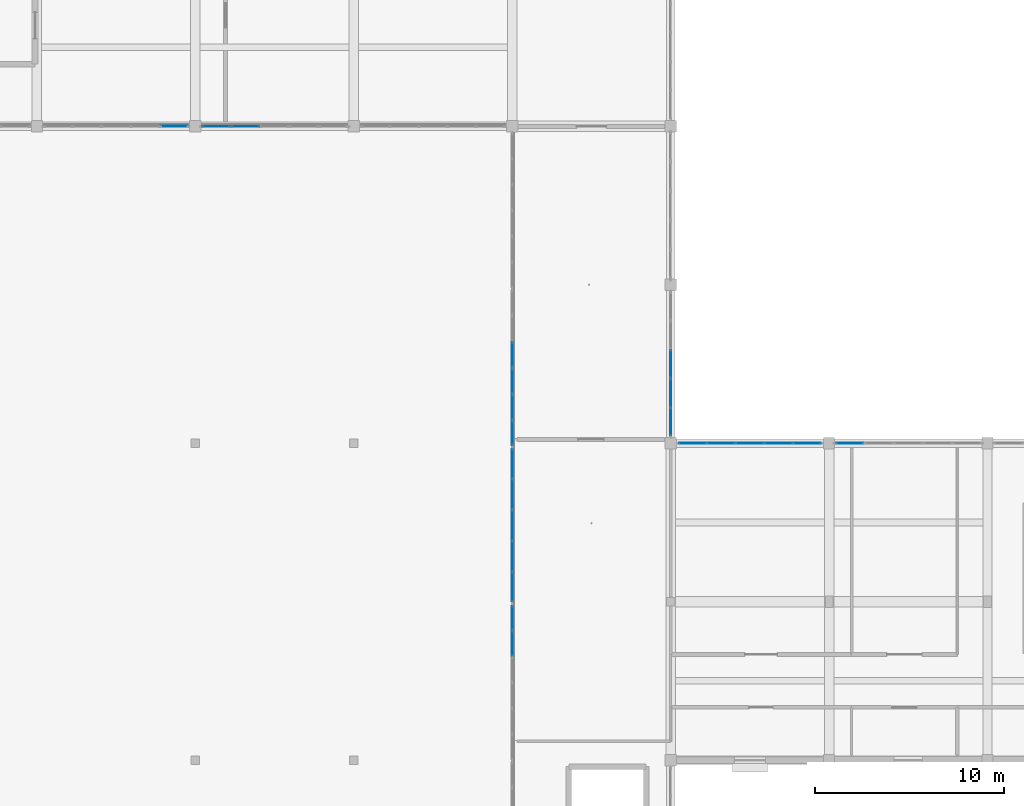
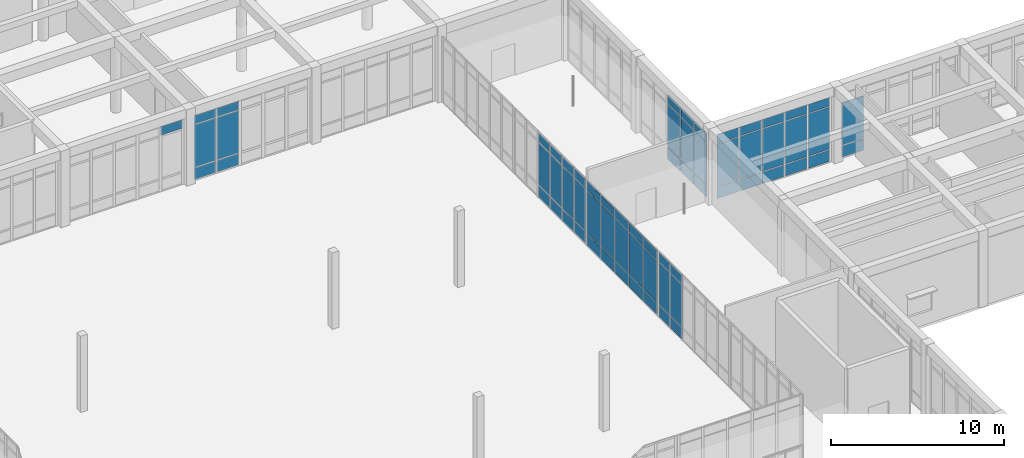
# One storey, part 63 of 157: 66 plates, 8 elements without a shape of their own.
"""IFC4 building model written with IfcOpenShell, lengths in metres."""

from ifc_helpers import new_model, si_unit, direction, frame, origin, origin_2d, place, context, subcontext, project, spatial, rectangle, extrude, material, layer, layer_set, type_object, element, aggregate, save


model = new_model("IFC4")

# Units and contexts
model_context = context("Model", 3, precision=1e-05, world=origin(), true_north=direction((0.0, 1.0)))
body_context = subcontext(model_context, "Body", "Model", "MODEL_VIEW")
ifc_project = project(units=[si_unit("LENGTHUNIT", "METRE"), si_unit("AREAUNIT", "SQUARE_METRE"), si_unit("VOLUMEUNIT", "CUBIC_METRE"), si_unit("PLANEANGLEUNIT", "RADIAN"), si_unit("MASSUNIT", "GRAM", prefix="KILO")], contexts=[model_context])

# Site, building, storey
site_placement = place(None, origin())
site = spatial("IfcSite", under=ifc_project, at=site_placement, CompositionType="ELEMENT")
building_placement = place(site_placement, origin())
building = spatial("IfcBuilding", under=site, at=building_placement, Name="Varncliffe General Hospital", CompositionType="ELEMENT")
storey_placement = place(building_placement, frame((0.0, 0.0, 5.39990234375)))
storey = spatial("IfcBuildingStorey", under=building, at=storey_placement, Name="L01", CompositionType="ELEMENT", Elevation=5.39990234375)

# Curtain wall, plates
ifc_material_1 = material(Name="Triple low-E argon insulated vision glazing", Category="glass")
curtain_wall_type_1 = type_object("IfcCurtainWallType", Name="Unitised Glazed Curtain Wall CW70 (7724x4640)", PredefinedType="USERDEFINED", material=ifc_material_1)
curtain_wall_1_placement = place(storey_placement, origin())
curtain_wall_1 = element("IfcCurtainWall", 1, at=curtain_wall_1_placement, inside=storey, type_object=curtain_wall_type_1, Name="L01 Glazed Curtain Wall CW70-58", ObjectType="GLAZED CURTAIN WALL", PredefinedType="USERDEFINED")
ifc_layer_1 = layer(ifc_material_1, 0.0439453125)
ifc_layer_set_1 = layer_set([ifc_layer_1], Name="Triple low-E argon insulated vision glazing")
plate_type_1 = type_object("IfcPlateType", Name="Curtain Wall Glazing Panel CP12 (44mm)", PredefinedType="CURTAIN_PANEL", material=ifc_layer_set_1)
plate_1_placement = place(storey_placement, frame((117.60009765625, 45.0, 0.06005859375), z_axis=(0.0, 0.0, 1.0), x_axis=(0.0, -1.0, 0.0)))
plate_1 = element("IfcPlate", 2, at=plate_1_placement, type_object=plate_type_1, Name="CW70 panel 3.1", PredefinedType="CURTAIN_PANEL", context=body_context, shape_type="SweptSolid", body=[
    extrude(rectangle(XDim=1.4697265625, YDim=0.0439453125, at=origin_2d()), origin(), (0.0, 0.0, 1.0), 0.81005859375),
])
plate_2_placement = place(storey_placement, frame((117.60009765625, 45.0, 0.93017578125), z_axis=(0.0, 0.0, 1.0), x_axis=(0.0, -1.0, 0.0)))
plate_2 = element("IfcPlate", 3, at=plate_2_placement, type_object=plate_type_1, Name="CW70 panel 3.2", PredefinedType="CURTAIN_PANEL", context=body_context, shape_type="SweptSolid", body=[
    extrude(rectangle(XDim=1.4697265625, YDim=0.0439453125, at=origin_2d()), origin(), (0.0, 0.0, 1.0), 2.97998046875),
])
plate_3_placement = place(storey_placement, frame((117.60009765625, 45.0, 3.97021484375), z_axis=(0.0, 0.0, 1.0), x_axis=(0.0, -1.0, 0.0)))
plate_3 = element("IfcPlate", 4, at=plate_3_placement, type_object=plate_type_1, Name="CW70 panel 3.3", PredefinedType="CURTAIN_PANEL", context=body_context, shape_type="SweptSolid", body=[
    extrude(rectangle(XDim=1.4697265625, YDim=0.0439453125, at=origin_2d()), origin(), (0.0, 0.0, 1.0), 0.610107421875),
])
plate_4_placement = place(storey_placement, frame((117.60009765625, 43.455078125, 0.06005859375), z_axis=(0.0, 0.0, 1.0), x_axis=(0.0, -1.0, 0.0)))
plate_4 = element("IfcPlate", 5, at=plate_4_placement, type_object=plate_type_1, Name="CW70 panel 4.1", PredefinedType="CURTAIN_PANEL", context=body_context, shape_type="SweptSolid", body=[
    extrude(rectangle(XDim=1.4697265625, YDim=0.0439453125, at=origin_2d()), origin(), (0.0, 0.0, 1.0), 0.81005859375),
])
plate_5_placement = place(storey_placement, frame((117.60009765625, 43.455078125, 0.93017578125), z_axis=(0.0, 0.0, 1.0), x_axis=(0.0, -1.0, 0.0)))
plate_5 = element("IfcPlate", 6, at=plate_5_placement, type_object=plate_type_1, Name="CW70 panel 4.2", PredefinedType="CURTAIN_PANEL", context=body_context, shape_type="SweptSolid", body=[
    extrude(rectangle(XDim=1.4697265625, YDim=0.0439453125, at=origin_2d()), origin(), (0.0, 0.0, 1.0), 2.97998046875),
])
plate_6_placement = place(storey_placement, frame((117.60009765625, 43.455078125, 3.97021484375), z_axis=(0.0, 0.0, 1.0), x_axis=(0.0, -1.0, 0.0)))
plate_6 = element("IfcPlate", 7, at=plate_6_placement, type_object=plate_type_1, Name="CW70 panel 4.3", PredefinedType="CURTAIN_PANEL", context=body_context, shape_type="SweptSolid", body=[
    extrude(rectangle(XDim=1.4697265625, YDim=0.0439453125, at=origin_2d()), origin(), (0.0, 0.0, 1.0), 0.610107421875),
])
plate_7_placement = place(storey_placement, frame((117.60009765625, 41.92919921875, 0.06005859375), z_axis=(0.0, 0.0, 1.0), x_axis=(0.0, -1.0, 0.0)))
plate_7 = element("IfcPlate", 8, at=plate_7_placement, type_object=plate_type_1, Name="CW70 panel 5.1", PredefinedType="CURTAIN_PANEL", context=body_context, shape_type="SweptSolid", body=[
    extrude(rectangle(XDim=1.432373046875, YDim=0.0439453125, at=origin_2d()), origin(), (0.0, 0.0, 1.0), 0.81005859375),
])
plate_8_placement = place(storey_placement, frame((117.60009765625, 41.92919921875, 0.93017578125), z_axis=(0.0, 0.0, 1.0), x_axis=(0.0, -1.0, 0.0)))
plate_8 = element("IfcPlate", 9, at=plate_8_placement, type_object=plate_type_1, Name="CW70 panel 5.2", PredefinedType="CURTAIN_PANEL", context=body_context, shape_type="SweptSolid", body=[
    extrude(rectangle(XDim=1.432373046875, YDim=0.0439453125, at=origin_2d()), origin(), (0.0, 0.0, 1.0), 2.97998046875),
])
plate_9_placement = place(storey_placement, frame((117.60009765625, 41.92919921875, 3.97021484375), z_axis=(0.0, 0.0, 1.0), x_axis=(0.0, -1.0, 0.0)))
plate_9 = element("IfcPlate", 10, at=plate_9_placement, type_object=plate_type_1, Name="CW70 panel 5.3", PredefinedType="CURTAIN_PANEL", context=body_context, shape_type="SweptSolid", body=[
    extrude(rectangle(XDim=1.432373046875, YDim=0.0439453125, at=origin_2d()), origin(), (0.0, 0.0, 1.0), 0.610107421875),
])
aggregate(curtain_wall_1, [plate_1, plate_2, plate_3, plate_4, plate_5, plate_6, plate_7, plate_8, plate_9])

curtain_wall_type_2 = type_object("IfcCurtainWallType", Name="Unitised Glazed Curtain Wall CW14 (8260x4640)", PredefinedType="USERDEFINED", material=ifc_material_1)
curtain_wall_2_placement = place(storey_placement, origin())
curtain_wall_2 = element("IfcCurtainWall", 11, at=curtain_wall_2_placement, inside=storey, type_object=curtain_wall_type_2, Name="L01 Glazed Curtain Wall CW14-97", ObjectType="GLAZED CURTAIN WALL", PredefinedType="USERDEFINED")
plate_10_placement = place(storey_placement, frame((109.199951171875, 30.17578125, 0.06005859375), z_axis=(0.0, 0.0, 1.0), x_axis=(0.0, 1.0, 0.0)))
plate_10 = element("IfcPlate", 12, at=plate_10_placement, type_object=plate_type_1, Name="CW14 panel 5.1", PredefinedType="CURTAIN_PANEL", context=body_context, shape_type="SweptSolid", body=[
    extrude(rectangle(XDim=1.3017578125, YDim=0.0439453125, at=origin_2d()), origin(), (0.0, 0.0, 1.0), 0.81005859375),
])
plate_11_placement = place(storey_placement, frame((109.199951171875, 30.17578125, 0.93017578125), z_axis=(0.0, 0.0, 1.0), x_axis=(0.0, 1.0, 0.0)))
plate_11 = element("IfcPlate", 13, at=plate_11_placement, type_object=plate_type_1, Name="CW14 panel 5.2", PredefinedType="CURTAIN_PANEL", context=body_context, shape_type="SweptSolid", body=[
    extrude(rectangle(XDim=1.3017578125, YDim=0.0439453125, at=origin_2d()), origin(), (0.0, 0.0, 1.0), 2.97998046875),
])
plate_12_placement = place(storey_placement, frame((109.199951171875, 30.17578125, 3.97021484375), z_axis=(0.0, 0.0, 1.0), x_axis=(0.0, 1.0, 0.0)))
plate_12 = element("IfcPlate", 14, at=plate_12_placement, type_object=plate_type_1, Name="CW14 panel 5.3", PredefinedType="CURTAIN_PANEL", context=body_context, shape_type="SweptSolid", body=[
    extrude(rectangle(XDim=1.3017578125, YDim=0.0439453125, at=origin_2d()), origin(), (0.0, 0.0, 1.0), 0.610107421875),
])
plate_13_placement = place(storey_placement, frame((109.199951171875, 31.53369140625, 0.06005859375), z_axis=(0.0, 0.0, 1.0), x_axis=(0.0, 1.0, 0.0)))
plate_13 = element("IfcPlate", 15, at=plate_13_placement, type_object=plate_type_1, Name="CW14 panel 6.1", PredefinedType="CURTAIN_PANEL", context=body_context, shape_type="SweptSolid", body=[
    extrude(rectangle(XDim=1.26416015625, YDim=0.0439453125, at=origin_2d()), origin(), (0.0, 0.0, 1.0), 0.81005859375),
])
plate_14_placement = place(storey_placement, frame((109.199951171875, 31.53369140625, 0.93017578125), z_axis=(0.0, 0.0, 1.0), x_axis=(0.0, 1.0, 0.0)))
plate_14 = element("IfcPlate", 16, at=plate_14_placement, type_object=plate_type_1, Name="CW14 panel 6.2", PredefinedType="CURTAIN_PANEL", context=body_context, shape_type="SweptSolid", body=[
    extrude(rectangle(XDim=1.26416015625, YDim=0.0439453125, at=origin_2d()), origin(), (0.0, 0.0, 1.0), 2.97998046875),
])
plate_15_placement = place(storey_placement, frame((109.199951171875, 31.53369140625, 3.97021484375), z_axis=(0.0, 0.0, 1.0), x_axis=(0.0, 1.0, 0.0)))
plate_15 = element("IfcPlate", 17, at=plate_15_placement, type_object=plate_type_1, Name="CW14 panel 6.3", PredefinedType="CURTAIN_PANEL", context=body_context, shape_type="SweptSolid", body=[
    extrude(rectangle(XDim=1.26416015625, YDim=0.0439453125, at=origin_2d()), origin(), (0.0, 0.0, 1.0), 0.610107421875),
])
aggregate(curtain_wall_2, [plate_10, plate_11, plate_12, plate_13, plate_14, plate_15])

# Curtain wall, plate
curtain_wall_3_placement = place(storey_placement, origin())
curtain_wall_3 = element("IfcCurtainWall", 18, at=curtain_wall_3_placement, inside=storey, type_object=curtain_wall_type_1, Name="L01 Glazed Curtain Wall CW70-103", ObjectType="GLAZED CURTAIN WALL", PredefinedType="USERDEFINED")
plate_16_placement = place(storey_placement, frame((91.270751953125, 57.60009765625, 3.97021484375), z_axis=(0.0, 0.0, 1.0), x_axis=(-1.0, 0.0, 0.0)))
plate_16 = element("IfcPlate", 19, at=plate_16_placement, type_object=plate_type_1, Name="CW70 panel 1.3", PredefinedType="CURTAIN_PANEL", context=body_context, shape_type="SweptSolid", body=[
    extrude(rectangle(XDim=1.432373046875, YDim=0.0439453125, at=origin_2d()), origin(), (0.0, 0.0, 1.0), 0.610107421875),
])
aggregate(curtain_wall_3, [plate_16])

# Curtain wall, plates
curtain_wall_type_3 = type_object("IfcCurtainWallType", Name="Unitised Glazed Curtain Wall CW85 (7804x4640)", PredefinedType="USERDEFINED", material=ifc_material_1)
curtain_wall_4_placement = place(storey_placement, origin())
curtain_wall_4 = element("IfcCurtainWall", 20, at=curtain_wall_4_placement, inside=storey, type_object=curtain_wall_type_3, Name="L01 Glazed Curtain Wall CW85-60", ObjectType="GLAZED CURTAIN WALL", PredefinedType="USERDEFINED")
ifc_layer_2 = layer(ifc_material_1, 0.035888671875)
ifc_layer_set_2 = layer_set([ifc_layer_2], Name="Triple low-E argon insulated vision glazing")
plate_type_2 = type_object("IfcPlateType", Name="Curtain Wall Glazing Panel CP27 (36mm)", PredefinedType="CURTAIN_PANEL", material=ifc_layer_set_2)
plate_17_placement = place(storey_placement, frame((127.09716796875, 40.800048828125, 0.06494140625), z_axis=(0.0, 0.0, 1.0), x_axis=(1.0, 0.0, 0.0)))
plate_17 = element("IfcPlate", 21, at=plate_17_placement, type_object=plate_type_2, Name="CW85 panel 1.1", PredefinedType="CURTAIN_PANEL", context=body_context, shape_type="SweptSolid", body=[
    extrude(rectangle(XDim=1.4482421875, YDim=0.035888671875, at=origin_2d()), origin(), (0.0, 0.0, 1.0), 0.802490234375),
])
plate_18_placement = place(storey_placement, frame((127.09716796875, 40.800048828125, 0.9326171875), z_axis=(0.0, 0.0, 1.0), x_axis=(1.0, 0.0, 0.0)))
plate_18 = element("IfcPlate", 22, at=plate_18_placement, type_object=plate_type_2, Name="CW85 panel 1.2", PredefinedType="CURTAIN_PANEL", context=body_context, shape_type="SweptSolid", body=[
    extrude(rectangle(XDim=1.4482421875, YDim=0.035888671875, at=origin_2d()), origin(), (0.0, 0.0, 1.0), 2.97509765625),
])
aggregate(curtain_wall_4, [plate_17, plate_18])

curtain_wall_type_4 = type_object("IfcCurtainWallType", Name="Unitised Glazed Curtain Wall CW86 (8340x4640)", PredefinedType="USERDEFINED", material=ifc_material_1)
curtain_wall_5_placement = place(storey_placement, origin())
curtain_wall_5 = element("IfcCurtainWall", 23, at=curtain_wall_5_placement, inside=storey, type_object=curtain_wall_type_4, Name="L01 Glazed Curtain Wall CW86-99", ObjectType="GLAZED CURTAIN WALL", PredefinedType="USERDEFINED")
plate_19_placement = place(storey_placement, frame((109.199951171875, 41.3349609375, 0.06494140625), z_axis=(0.0, 0.0, 1.0), x_axis=(0.0, 1.0, 0.0)))
plate_19 = element("IfcPlate", 24, at=plate_19_placement, type_object=plate_type_2, Name="CW86 panel 1.1", PredefinedType="CURTAIN_PANEL", context=body_context, shape_type="SweptSolid", body=[
    extrude(rectangle(XDim=1.277587890625, YDim=0.035888671875, at=origin_2d()), origin(), (0.0, 0.0, 1.0), 0.802490234375),
])
plate_20_placement = place(storey_placement, frame((109.199951171875, 41.3349609375, 0.9326171875), z_axis=(0.0, 0.0, 1.0), x_axis=(0.0, 1.0, 0.0)))
plate_20 = element("IfcPlate", 25, at=plate_20_placement, type_object=plate_type_2, Name="CW86 panel 1.2", PredefinedType="CURTAIN_PANEL", context=body_context, shape_type="SweptSolid", body=[
    extrude(rectangle(XDim=1.277587890625, YDim=0.035888671875, at=origin_2d()), origin(), (0.0, 0.0, 1.0), 2.97509765625),
])
plate_21_placement = place(storey_placement, frame((109.199951171875, 41.3349609375, 3.97265625), z_axis=(0.0, 0.0, 1.0), x_axis=(0.0, 1.0, 0.0)))
plate_21 = element("IfcPlate", 26, at=plate_21_placement, type_object=plate_type_2, Name="CW86 panel 1.3", PredefinedType="CURTAIN_PANEL", context=body_context, shape_type="SweptSolid", body=[
    extrude(rectangle(XDim=1.277587890625, YDim=0.035888671875, at=origin_2d()), origin(), (0.0, 0.0, 1.0), 0.6025390625),
])
plate_22_placement = place(storey_placement, frame((109.199951171875, 42.706298828125, 0.06494140625), z_axis=(0.0, 0.0, 1.0), x_axis=(0.0, 1.0, 0.0)))
plate_22 = element("IfcPlate", 27, at=plate_22_placement, type_object=plate_type_2, Name="CW86 panel 2.1", PredefinedType="CURTAIN_PANEL", context=body_context, shape_type="SweptSolid", body=[
    extrude(rectangle(XDim=1.315185546875, YDim=0.035888671875, at=origin_2d()), origin(), (0.0, 0.0, 1.0), 0.802490234375),
])
plate_23_placement = place(storey_placement, frame((109.199951171875, 42.706298828125, 0.9326171875), z_axis=(0.0, 0.0, 1.0), x_axis=(0.0, 1.0, 0.0)))
plate_23 = element("IfcPlate", 28, at=plate_23_placement, type_object=plate_type_2, Name="CW86 panel 2.2", PredefinedType="CURTAIN_PANEL", context=body_context, shape_type="SweptSolid", body=[
    extrude(rectangle(XDim=1.315185546875, YDim=0.035888671875, at=origin_2d()), origin(), (0.0, 0.0, 1.0), 2.97509765625),
])
plate_24_placement = place(storey_placement, frame((109.199951171875, 42.706298828125, 3.97265625), z_axis=(0.0, 0.0, 1.0), x_axis=(0.0, 1.0, 0.0)))
plate_24 = element("IfcPlate", 29, at=plate_24_placement, type_object=plate_type_2, Name="CW86 panel 2.3", PredefinedType="CURTAIN_PANEL", context=body_context, shape_type="SweptSolid", body=[
    extrude(rectangle(XDim=1.315185546875, YDim=0.035888671875, at=origin_2d()), origin(), (0.0, 0.0, 1.0), 0.6025390625),
])
plate_25_placement = place(storey_placement, frame((109.199951171875, 44.096435546875, 0.06494140625), z_axis=(0.0, 0.0, 1.0), x_axis=(0.0, 1.0, 0.0)))
plate_25 = element("IfcPlate", 30, at=plate_25_placement, type_object=plate_type_2, Name="CW86 panel 3.1", PredefinedType="CURTAIN_PANEL", context=body_context, shape_type="SweptSolid", body=[
    extrude(rectangle(XDim=1.315185546875, YDim=0.035888671875, at=origin_2d()), origin(), (0.0, 0.0, 1.0), 0.802490234375),
])
plate_26_placement = place(storey_placement, frame((109.199951171875, 44.096435546875, 0.9326171875), z_axis=(0.0, 0.0, 1.0), x_axis=(0.0, 1.0, 0.0)))
plate_26 = element("IfcPlate", 31, at=plate_26_placement, type_object=plate_type_2, Name="CW86 panel 3.2", PredefinedType="CURTAIN_PANEL", context=body_context, shape_type="SweptSolid", body=[
    extrude(rectangle(XDim=1.315185546875, YDim=0.035888671875, at=origin_2d()), origin(), (0.0, 0.0, 1.0), 2.97509765625),
])
plate_27_placement = place(storey_placement, frame((109.199951171875, 44.096435546875, 3.97265625), z_axis=(0.0, 0.0, 1.0), x_axis=(0.0, 1.0, 0.0)))
plate_27 = element("IfcPlate", 32, at=plate_27_placement, type_object=plate_type_2, Name="CW86 panel 3.3", PredefinedType="CURTAIN_PANEL", context=body_context, shape_type="SweptSolid", body=[
    extrude(rectangle(XDim=1.315185546875, YDim=0.035888671875, at=origin_2d()), origin(), (0.0, 0.0, 1.0), 0.6025390625),
])
plate_28_placement = place(storey_placement, frame((109.199951171875, 45.486328125, 0.06494140625), z_axis=(0.0, 0.0, 1.0), x_axis=(0.0, 1.0, 0.0)))
plate_28 = element("IfcPlate", 33, at=plate_28_placement, type_object=plate_type_2, Name="CW86 panel 4.1", PredefinedType="CURTAIN_PANEL", context=body_context, shape_type="SweptSolid", body=[
    extrude(rectangle(XDim=1.315185546875, YDim=0.035888671875, at=origin_2d()), origin(), (0.0, 0.0, 1.0), 0.802490234375),
])
plate_29_placement = place(storey_placement, frame((109.199951171875, 45.486328125, 0.9326171875), z_axis=(0.0, 0.0, 1.0), x_axis=(0.0, 1.0, 0.0)))
plate_29 = element("IfcPlate", 34, at=plate_29_placement, type_object=plate_type_2, Name="CW86 panel 4.2", PredefinedType="CURTAIN_PANEL", context=body_context, shape_type="SweptSolid", body=[
    extrude(rectangle(XDim=1.315185546875, YDim=0.035888671875, at=origin_2d()), origin(), (0.0, 0.0, 1.0), 2.97509765625),
])
plate_30_placement = place(storey_placement, frame((109.199951171875, 45.486328125, 3.97265625), z_axis=(0.0, 0.0, 1.0), x_axis=(0.0, 1.0, 0.0)))
plate_30 = element("IfcPlate", 35, at=plate_30_placement, type_object=plate_type_2, Name="CW86 panel 4.3", PredefinedType="CURTAIN_PANEL", context=body_context, shape_type="SweptSolid", body=[
    extrude(rectangle(XDim=1.315185546875, YDim=0.035888671875, at=origin_2d()), origin(), (0.0, 0.0, 1.0), 0.6025390625),
])
aggregate(curtain_wall_5, [plate_19, plate_20, plate_21, plate_22, plate_23, plate_24, plate_25, plate_26, plate_27, plate_28, plate_29, plate_30])

curtain_wall_6_placement = place(storey_placement, origin())
curtain_wall_6 = element("IfcCurtainWall", 36, at=curtain_wall_6_placement, inside=storey, type_object=curtain_wall_type_3, Name="L01 Glazed Curtain Wall CW85-102", ObjectType="GLAZED CURTAIN WALL", PredefinedType="USERDEFINED")
plate_31_placement = place(storey_placement, frame((95.039306640625, 57.60009765625, 0.06494140625), z_axis=(0.0, 0.0, 1.0), x_axis=(-1.0, 0.0, 0.0)))
plate_31 = element("IfcPlate", 37, at=plate_31_placement, type_object=plate_type_2, Name="CW85 panel 4.1", PredefinedType="CURTAIN_PANEL", context=body_context, shape_type="SweptSolid", body=[
    extrude(rectangle(XDim=1.48583984375, YDim=0.035888671875, at=origin_2d()), origin(), (0.0, 0.0, 1.0), 0.802490234375),
])
plate_32_placement = place(storey_placement, frame((95.039306640625, 57.60009765625, 0.9326171875), z_axis=(0.0, 0.0, 1.0), x_axis=(-1.0, 0.0, 0.0)))
plate_32 = element("IfcPlate", 38, at=plate_32_placement, type_object=plate_type_2, Name="CW85 panel 4.2", PredefinedType="CURTAIN_PANEL", context=body_context, shape_type="SweptSolid", body=[
    extrude(rectangle(XDim=1.48583984375, YDim=0.035888671875, at=origin_2d()), origin(), (0.0, 0.0, 1.0), 2.97509765625),
])
plate_33_placement = place(storey_placement, frame((95.039306640625, 57.60009765625, 3.97265625), z_axis=(0.0, 0.0, 1.0), x_axis=(-1.0, 0.0, 0.0)))
plate_33 = element("IfcPlate", 39, at=plate_33_placement, type_object=plate_type_2, Name="CW85 panel 4.3", PredefinedType="CURTAIN_PANEL", context=body_context, shape_type="SweptSolid", body=[
    extrude(rectangle(XDim=1.48583984375, YDim=0.035888671875, at=origin_2d()), origin(), (0.0, 0.0, 1.0), 0.6025390625),
])
plate_34_placement = place(storey_placement, frame((93.4970703125, 57.60009765625, 0.06494140625), z_axis=(0.0, 0.0, 1.0), x_axis=(-1.0, 0.0, 0.0)))
plate_34 = element("IfcPlate", 40, at=plate_34_placement, type_object=plate_type_2, Name="CW85 panel 5.1", PredefinedType="CURTAIN_PANEL", context=body_context, shape_type="SweptSolid", body=[
    extrude(rectangle(XDim=1.4482421875, YDim=0.035888671875, at=origin_2d()), origin(), (0.0, 0.0, 1.0), 0.802490234375),
])
plate_35_placement = place(storey_placement, frame((93.4970703125, 57.60009765625, 0.9326171875), z_axis=(0.0, 0.0, 1.0), x_axis=(-1.0, 0.0, 0.0)))
plate_35 = element("IfcPlate", 41, at=plate_35_placement, type_object=plate_type_2, Name="CW85 panel 5.2", PredefinedType="CURTAIN_PANEL", context=body_context, shape_type="SweptSolid", body=[
    extrude(rectangle(XDim=1.4482421875, YDim=0.035888671875, at=origin_2d()), origin(), (0.0, 0.0, 1.0), 2.97509765625),
])
plate_36_placement = place(storey_placement, frame((93.4970703125, 57.60009765625, 3.97265625), z_axis=(0.0, 0.0, 1.0), x_axis=(-1.0, 0.0, 0.0)))
plate_36 = element("IfcPlate", 42, at=plate_36_placement, type_object=plate_type_2, Name="CW85 panel 5.3", PredefinedType="CURTAIN_PANEL", context=body_context, shape_type="SweptSolid", body=[
    extrude(rectangle(XDim=1.4482421875, YDim=0.035888671875, at=origin_2d()), origin(), (0.0, 0.0, 1.0), 0.6025390625),
])
aggregate(curtain_wall_6, [plate_31, plate_32, plate_33, plate_34, plate_35, plate_36])

curtain_wall_type_5 = type_object("IfcCurtainWallType", Name="Unitised Glazed Curtain Wall CW16 (8180x4640)", PredefinedType="USERDEFINED", material=ifc_material_1)
curtain_wall_7_placement = place(storey_placement, origin())
curtain_wall_7 = element("IfcCurtainWall", 43, at=curtain_wall_7_placement, inside=storey, type_object=curtain_wall_type_5, Name="L01 Glazed Curtain Wall CW16-98", ObjectType="GLAZED CURTAIN WALL", PredefinedType="USERDEFINED")
ifc_material_2 = material(Name="Insulated ceramic-fritted spandrel glazing panel", Category="glass")
ifc_layer_3 = layer(ifc_material_2, 0.052001953125)
ifc_layer_set_3 = layer_set([ifc_layer_3], Name="Insulated ceramic-fritted spandrel glazing panel")
plate_type_3 = type_object("IfcPlateType", Name="Curtain Wall Glazing Panel CP46 (52mm)", PredefinedType="CURTAIN_PANEL", material=ifc_layer_set_3)
plate_37_placement = place(storey_placement, frame((109.199951171875, 33.195068359375, 0.06005859375), z_axis=(0.0, 0.0, 1.0), x_axis=(0.0, 1.0, 0.0)))
plate_37 = element("IfcPlate", 44, at=plate_37_placement, type_object=plate_type_3, Name="CW16 panel 1.1", PredefinedType="CURTAIN_PANEL", context=body_context, shape_type="SweptSolid", body=[
    extrude(rectangle(XDim=1.53857421875, YDim=0.052001953125, at=origin_2d()), origin(), (0.0, 0.0, 1.0), 0.81005859375),
])
plate_38_placement = place(storey_placement, frame((109.199951171875, 33.195068359375, 0.93017578125), z_axis=(0.0, 0.0, 1.0), x_axis=(0.0, 1.0, 0.0)))
plate_38 = element("IfcPlate", 45, at=plate_38_placement, type_object=plate_type_3, Name="CW16 panel 1.2", PredefinedType="CURTAIN_PANEL", context=body_context, shape_type="SweptSolid", body=[
    extrude(rectangle(XDim=1.53857421875, YDim=0.052001953125, at=origin_2d()), origin(), (0.0, 0.0, 1.0), 2.97998046875),
])
plate_39_placement = place(storey_placement, frame((109.199951171875, 33.195068359375, 3.97021484375), z_axis=(0.0, 0.0, 1.0), x_axis=(0.0, 1.0, 0.0)))
plate_39 = element("IfcPlate", 46, at=plate_39_placement, type_object=plate_type_3, Name="CW16 panel 1.3", PredefinedType="CURTAIN_PANEL", context=body_context, shape_type="SweptSolid", body=[
    extrude(rectangle(XDim=1.53857421875, YDim=0.052001953125, at=origin_2d()), origin(), (0.0, 0.0, 1.0), 0.610107421875),
])
plate_40_placement = place(storey_placement, frame((109.199951171875, 34.81494140625, 0.06005859375), z_axis=(0.0, 0.0, 1.0), x_axis=(0.0, 1.0, 0.0)))
plate_40 = element("IfcPlate", 47, at=plate_40_placement, type_object=plate_type_3, Name="CW16 panel 2.1", PredefinedType="CURTAIN_PANEL", context=body_context, shape_type="SweptSolid", body=[
    extrude(rectangle(XDim=1.571044921875, YDim=0.052001953125, at=origin_2d()), origin(), (0.0, 0.0, 1.0), 0.81005859375),
])
plate_41_placement = place(storey_placement, frame((109.199951171875, 34.81494140625, 0.93017578125), z_axis=(0.0, 0.0, 1.0), x_axis=(0.0, 1.0, 0.0)))
plate_41 = element("IfcPlate", 48, at=plate_41_placement, type_object=plate_type_3, Name="CW16 panel 2.2", PredefinedType="CURTAIN_PANEL", context=body_context, shape_type="SweptSolid", body=[
    extrude(rectangle(XDim=1.571044921875, YDim=0.052001953125, at=origin_2d()), origin(), (0.0, 0.0, 1.0), 2.97998046875),
])
plate_42_placement = place(storey_placement, frame((109.199951171875, 34.81494140625, 3.97021484375), z_axis=(0.0, 0.0, 1.0), x_axis=(0.0, 1.0, 0.0)))
plate_42 = element("IfcPlate", 49, at=plate_42_placement, type_object=plate_type_3, Name="CW16 panel 2.3", PredefinedType="CURTAIN_PANEL", context=body_context, shape_type="SweptSolid", body=[
    extrude(rectangle(XDim=1.571044921875, YDim=0.052001953125, at=origin_2d()), origin(), (0.0, 0.0, 1.0), 0.610107421875),
])
plate_43_placement = place(storey_placement, frame((109.199951171875, 36.450927734375, 0.06005859375), z_axis=(0.0, 0.0, 1.0), x_axis=(0.0, 1.0, 0.0)))
plate_43 = element("IfcPlate", 50, at=plate_43_placement, type_object=plate_type_3, Name="CW16 panel 3.1", PredefinedType="CURTAIN_PANEL", context=body_context, shape_type="SweptSolid", body=[
    extrude(rectangle(XDim=1.571044921875, YDim=0.052001953125, at=origin_2d()), origin(), (0.0, 0.0, 1.0), 0.81005859375),
])
plate_44_placement = place(storey_placement, frame((109.199951171875, 36.450927734375, 0.93017578125), z_axis=(0.0, 0.0, 1.0), x_axis=(0.0, 1.0, 0.0)))
plate_44 = element("IfcPlate", 51, at=plate_44_placement, type_object=plate_type_3, Name="CW16 panel 3.2", PredefinedType="CURTAIN_PANEL", context=body_context, shape_type="SweptSolid", body=[
    extrude(rectangle(XDim=1.571044921875, YDim=0.052001953125, at=origin_2d()), origin(), (0.0, 0.0, 1.0), 2.97998046875),
])
plate_45_placement = place(storey_placement, frame((109.199951171875, 36.450927734375, 3.97021484375), z_axis=(0.0, 0.0, 1.0), x_axis=(0.0, 1.0, 0.0)))
plate_45 = element("IfcPlate", 52, at=plate_45_placement, type_object=plate_type_3, Name="CW16 panel 3.3", PredefinedType="CURTAIN_PANEL", context=body_context, shape_type="SweptSolid", body=[
    extrude(rectangle(XDim=1.571044921875, YDim=0.052001953125, at=origin_2d()), origin(), (0.0, 0.0, 1.0), 0.610107421875),
])
plate_46_placement = place(storey_placement, frame((109.199951171875, 38.087158203125, 0.06005859375), z_axis=(0.0, 0.0, 1.0), x_axis=(0.0, 1.0, 0.0)))
plate_46 = element("IfcPlate", 53, at=plate_46_placement, type_object=plate_type_3, Name="CW16 panel 4.1", PredefinedType="CURTAIN_PANEL", context=body_context, shape_type="SweptSolid", body=[
    extrude(rectangle(XDim=1.571044921875, YDim=0.052001953125, at=origin_2d()), origin(), (0.0, 0.0, 1.0), 0.81005859375),
])
plate_47_placement = place(storey_placement, frame((109.199951171875, 38.087158203125, 0.93017578125), z_axis=(0.0, 0.0, 1.0), x_axis=(0.0, 1.0, 0.0)))
plate_47 = element("IfcPlate", 54, at=plate_47_placement, type_object=plate_type_3, Name="CW16 panel 4.2", PredefinedType="CURTAIN_PANEL", context=body_context, shape_type="SweptSolid", body=[
    extrude(rectangle(XDim=1.571044921875, YDim=0.052001953125, at=origin_2d()), origin(), (0.0, 0.0, 1.0), 2.97998046875),
])
plate_48_placement = place(storey_placement, frame((109.199951171875, 38.087158203125, 3.97021484375), z_axis=(0.0, 0.0, 1.0), x_axis=(0.0, 1.0, 0.0)))
plate_48 = element("IfcPlate", 55, at=plate_48_placement, type_object=plate_type_3, Name="CW16 panel 4.3", PredefinedType="CURTAIN_PANEL", context=body_context, shape_type="SweptSolid", body=[
    extrude(rectangle(XDim=1.571044921875, YDim=0.052001953125, at=origin_2d()), origin(), (0.0, 0.0, 1.0), 0.610107421875),
])
plate_49_placement = place(storey_placement, frame((109.199951171875, 39.70703125, 0.06005859375), z_axis=(0.0, 0.0, 1.0), x_axis=(0.0, 1.0, 0.0)))
plate_49 = element("IfcPlate", 56, at=plate_49_placement, type_object=plate_type_3, Name="CW16 panel 5.1", PredefinedType="CURTAIN_PANEL", context=body_context, shape_type="SweptSolid", body=[
    extrude(rectangle(XDim=1.53857421875, YDim=0.052001953125, at=origin_2d()), origin(), (0.0, 0.0, 1.0), 0.81005859375),
])
plate_50_placement = place(storey_placement, frame((109.199951171875, 39.70703125, 0.93017578125), z_axis=(0.0, 0.0, 1.0), x_axis=(0.0, 1.0, 0.0)))
plate_50 = element("IfcPlate", 57, at=plate_50_placement, type_object=plate_type_3, Name="CW16 panel 5.2", PredefinedType="CURTAIN_PANEL", context=body_context, shape_type="SweptSolid", body=[
    extrude(rectangle(XDim=1.53857421875, YDim=0.052001953125, at=origin_2d()), origin(), (0.0, 0.0, 1.0), 2.97998046875),
])
plate_51_placement = place(storey_placement, frame((109.199951171875, 39.70703125, 3.97021484375), z_axis=(0.0, 0.0, 1.0), x_axis=(0.0, 1.0, 0.0)))
plate_51 = element("IfcPlate", 58, at=plate_51_placement, type_object=plate_type_3, Name="CW16 panel 5.3", PredefinedType="CURTAIN_PANEL", context=body_context, shape_type="SweptSolid", body=[
    extrude(rectangle(XDim=1.53857421875, YDim=0.052001953125, at=origin_2d()), origin(), (0.0, 0.0, 1.0), 0.610107421875),
])
aggregate(curtain_wall_7, [plate_37, plate_38, plate_39, plate_40, plate_41, plate_42, plate_43, plate_44, plate_45, plate_46, plate_47, plate_48, plate_49, plate_50, plate_51])

curtain_wall_type_6 = type_object("IfcCurtainWallType", Name="Unitised Glazed Curtain Wall CW27 (7644x4640)", PredefinedType="USERDEFINED", material=ifc_material_1)
curtain_wall_8_placement = place(storey_placement, origin())
curtain_wall_8 = element("IfcCurtainWall", 59, at=curtain_wall_8_placement, inside=storey, type_object=curtain_wall_type_6, Name="L01 Glazed Curtain Wall CW27-59", ObjectType="GLAZED CURTAIN WALL", PredefinedType="USERDEFINED")
ifc_layer_4 = layer(ifc_material_1, 0.028076171875)
ifc_layer_set_4 = layer_set([ifc_layer_4], Name="Triple low-E argon insulated vision glazing")
plate_type_4 = type_object("IfcPlateType", Name="Curtain Wall Glazing Panel CP48 (28mm)", PredefinedType="CURTAIN_PANEL", material=ifc_layer_set_4)
plate_52_placement = place(storey_placement, frame((118.758544921875, 40.800048828125, 0.06005859375), z_axis=(0.0, 0.0, 1.0), x_axis=(1.0, 0.0, 0.0)))
plate_52 = element("IfcPlate", 60, at=plate_52_placement, type_object=plate_type_4, Name="CW27 panel 1.1", PredefinedType="CURTAIN_PANEL", context=body_context, shape_type="SweptSolid", body=[
    extrude(rectangle(XDim=1.431396484375, YDim=0.028076171875, at=origin_2d()), origin(), (0.0, 0.0, 1.0), 0.81005859375),
])
plate_53_placement = place(storey_placement, frame((118.758544921875, 40.800048828125, 0.93017578125), z_axis=(0.0, 0.0, 1.0), x_axis=(1.0, 0.0, 0.0)))
plate_53 = element("IfcPlate", 61, at=plate_53_placement, type_object=plate_type_4, Name="CW27 panel 1.2", PredefinedType="CURTAIN_PANEL", context=body_context, shape_type="SweptSolid", body=[
    extrude(rectangle(XDim=1.431396484375, YDim=0.028076171875, at=origin_2d()), origin(), (0.0, 0.0, 1.0), 2.97998046875),
])
plate_54_placement = place(storey_placement, frame((118.758544921875, 40.800048828125, 3.97021484375), z_axis=(0.0, 0.0, 1.0), x_axis=(1.0, 0.0, 0.0)))
plate_54 = element("IfcPlate", 62, at=plate_54_placement, type_object=plate_type_4, Name="CW27 panel 1.3", PredefinedType="CURTAIN_PANEL", context=body_context, shape_type="SweptSolid", body=[
    extrude(rectangle(XDim=1.431396484375, YDim=0.028076171875, at=origin_2d()), origin(), (0.0, 0.0, 1.0), 0.610107421875),
])
plate_55_placement = place(storey_placement, frame((120.271240234375, 40.800048828125, 0.06005859375), z_axis=(0.0, 0.0, 1.0), x_axis=(1.0, 0.0, 0.0)))
plate_55 = element("IfcPlate", 63, at=plate_55_placement, type_object=plate_type_4, Name="CW27 panel 2.1", PredefinedType="CURTAIN_PANEL", context=body_context, shape_type="SweptSolid", body=[
    extrude(rectangle(XDim=1.4638671875, YDim=0.028076171875, at=origin_2d()), origin(), (0.0, 0.0, 1.0), 0.81005859375),
])
plate_56_placement = place(storey_placement, frame((120.271240234375, 40.800048828125, 0.93017578125), z_axis=(0.0, 0.0, 1.0), x_axis=(1.0, 0.0, 0.0)))
plate_56 = element("IfcPlate", 64, at=plate_56_placement, type_object=plate_type_4, Name="CW27 panel 2.2", PredefinedType="CURTAIN_PANEL", context=body_context, shape_type="SweptSolid", body=[
    extrude(rectangle(XDim=1.4638671875, YDim=0.028076171875, at=origin_2d()), origin(), (0.0, 0.0, 1.0), 2.97998046875),
])
plate_57_placement = place(storey_placement, frame((120.271240234375, 40.800048828125, 3.97021484375), z_axis=(0.0, 0.0, 1.0), x_axis=(1.0, 0.0, 0.0)))
plate_57 = element("IfcPlate", 65, at=plate_57_placement, type_object=plate_type_4, Name="CW27 panel 2.3", PredefinedType="CURTAIN_PANEL", context=body_context, shape_type="SweptSolid", body=[
    extrude(rectangle(XDim=1.4638671875, YDim=0.028076171875, at=origin_2d()), origin(), (0.0, 0.0, 1.0), 0.610107421875),
])
plate_58_placement = place(storey_placement, frame((121.800048828125, 40.800048828125, 0.06005859375), z_axis=(0.0, 0.0, 1.0), x_axis=(1.0, 0.0, 0.0)))
plate_58 = element("IfcPlate", 66, at=plate_58_placement, type_object=plate_type_4, Name="CW27 panel 3.1", PredefinedType="CURTAIN_PANEL", context=body_context, shape_type="SweptSolid", body=[
    extrude(rectangle(XDim=1.4638671875, YDim=0.028076171875, at=origin_2d()), origin(), (0.0, 0.0, 1.0), 0.81005859375),
])
plate_59_placement = place(storey_placement, frame((121.800048828125, 40.800048828125, 0.93017578125), z_axis=(0.0, 0.0, 1.0), x_axis=(1.0, 0.0, 0.0)))
plate_59 = element("IfcPlate", 67, at=plate_59_placement, type_object=plate_type_4, Name="CW27 panel 3.2", PredefinedType="CURTAIN_PANEL", context=body_context, shape_type="SweptSolid", body=[
    extrude(rectangle(XDim=1.4638671875, YDim=0.028076171875, at=origin_2d()), origin(), (0.0, 0.0, 1.0), 2.97998046875),
])
plate_60_placement = place(storey_placement, frame((121.800048828125, 40.800048828125, 3.97021484375), z_axis=(0.0, 0.0, 1.0), x_axis=(1.0, 0.0, 0.0)))
plate_60 = element("IfcPlate", 68, at=plate_60_placement, type_object=plate_type_4, Name="CW27 panel 3.3", PredefinedType="CURTAIN_PANEL", context=body_context, shape_type="SweptSolid", body=[
    extrude(rectangle(XDim=1.4638671875, YDim=0.028076171875, at=origin_2d()), origin(), (0.0, 0.0, 1.0), 0.610107421875),
])
plate_61_placement = place(storey_placement, frame((123.328857421875, 40.800048828125, 0.06005859375), z_axis=(0.0, 0.0, 1.0), x_axis=(1.0, 0.0, 0.0)))
plate_61 = element("IfcPlate", 69, at=plate_61_placement, type_object=plate_type_4, Name="CW27 panel 4.1", PredefinedType="CURTAIN_PANEL", context=body_context, shape_type="SweptSolid", body=[
    extrude(rectangle(XDim=1.4638671875, YDim=0.028076171875, at=origin_2d()), origin(), (0.0, 0.0, 1.0), 0.81005859375),
])
plate_62_placement = place(storey_placement, frame((123.328857421875, 40.800048828125, 0.93017578125), z_axis=(0.0, 0.0, 1.0), x_axis=(1.0, 0.0, 0.0)))
plate_62 = element("IfcPlate", 70, at=plate_62_placement, type_object=plate_type_4, Name="CW27 panel 4.2", PredefinedType="CURTAIN_PANEL", context=body_context, shape_type="SweptSolid", body=[
    extrude(rectangle(XDim=1.4638671875, YDim=0.028076171875, at=origin_2d()), origin(), (0.0, 0.0, 1.0), 2.97998046875),
])
plate_63_placement = place(storey_placement, frame((123.328857421875, 40.800048828125, 3.97021484375), z_axis=(0.0, 0.0, 1.0), x_axis=(1.0, 0.0, 0.0)))
plate_63 = element("IfcPlate", 71, at=plate_63_placement, type_object=plate_type_4, Name="CW27 panel 4.3", PredefinedType="CURTAIN_PANEL", context=body_context, shape_type="SweptSolid", body=[
    extrude(rectangle(XDim=1.4638671875, YDim=0.028076171875, at=origin_2d()), origin(), (0.0, 0.0, 1.0), 0.610107421875),
])
plate_64_placement = place(storey_placement, frame((124.84130859375, 40.800048828125, 0.06005859375), z_axis=(0.0, 0.0, 1.0), x_axis=(1.0, 0.0, 0.0)))
plate_64 = element("IfcPlate", 72, at=plate_64_placement, type_object=plate_type_4, Name="CW27 panel 5.1", PredefinedType="CURTAIN_PANEL", context=body_context, shape_type="SweptSolid", body=[
    extrude(rectangle(XDim=1.431396484375, YDim=0.028076171875, at=origin_2d()), origin(), (0.0, 0.0, 1.0), 0.81005859375),
])
plate_65_placement = place(storey_placement, frame((124.84130859375, 40.800048828125, 0.93017578125), z_axis=(0.0, 0.0, 1.0), x_axis=(1.0, 0.0, 0.0)))
plate_65 = element("IfcPlate", 73, at=plate_65_placement, type_object=plate_type_4, Name="CW27 panel 5.2", PredefinedType="CURTAIN_PANEL", context=body_context, shape_type="SweptSolid", body=[
    extrude(rectangle(XDim=1.431396484375, YDim=0.028076171875, at=origin_2d()), origin(), (0.0, 0.0, 1.0), 2.97998046875),
])
plate_66_placement = place(storey_placement, frame((124.84130859375, 40.800048828125, 3.97021484375), z_axis=(0.0, 0.0, 1.0), x_axis=(1.0, 0.0, 0.0)))
plate_66 = element("IfcPlate", 74, at=plate_66_placement, type_object=plate_type_4, Name="CW27 panel 5.3", PredefinedType="CURTAIN_PANEL", context=body_context, shape_type="SweptSolid", body=[
    extrude(rectangle(XDim=1.431396484375, YDim=0.028076171875, at=origin_2d()), origin(), (0.0, 0.0, 1.0), 0.610107421875),
])
aggregate(curtain_wall_8, [plate_52, plate_53, plate_54, plate_55, plate_56, plate_57, plate_58, plate_59, plate_60, plate_61, plate_62, plate_63, plate_64, plate_65, plate_66])

save(model, "model.ifc")
